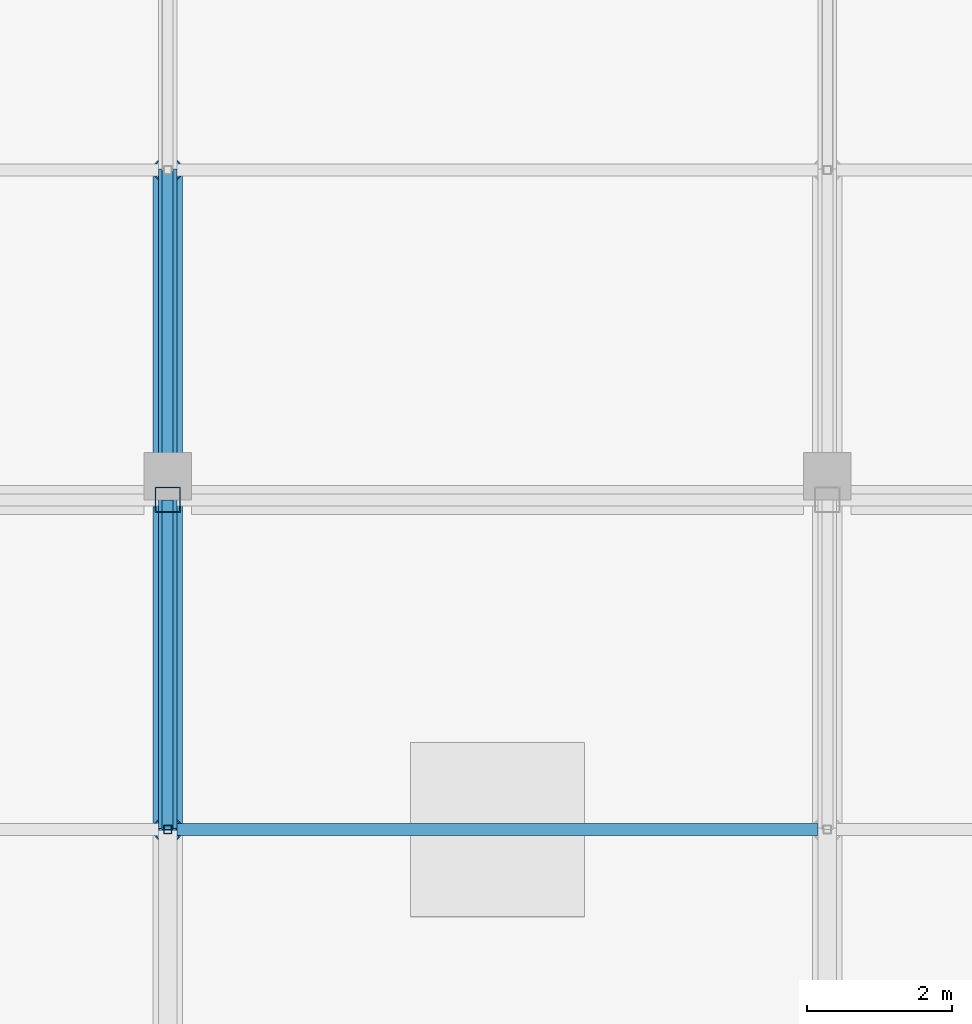
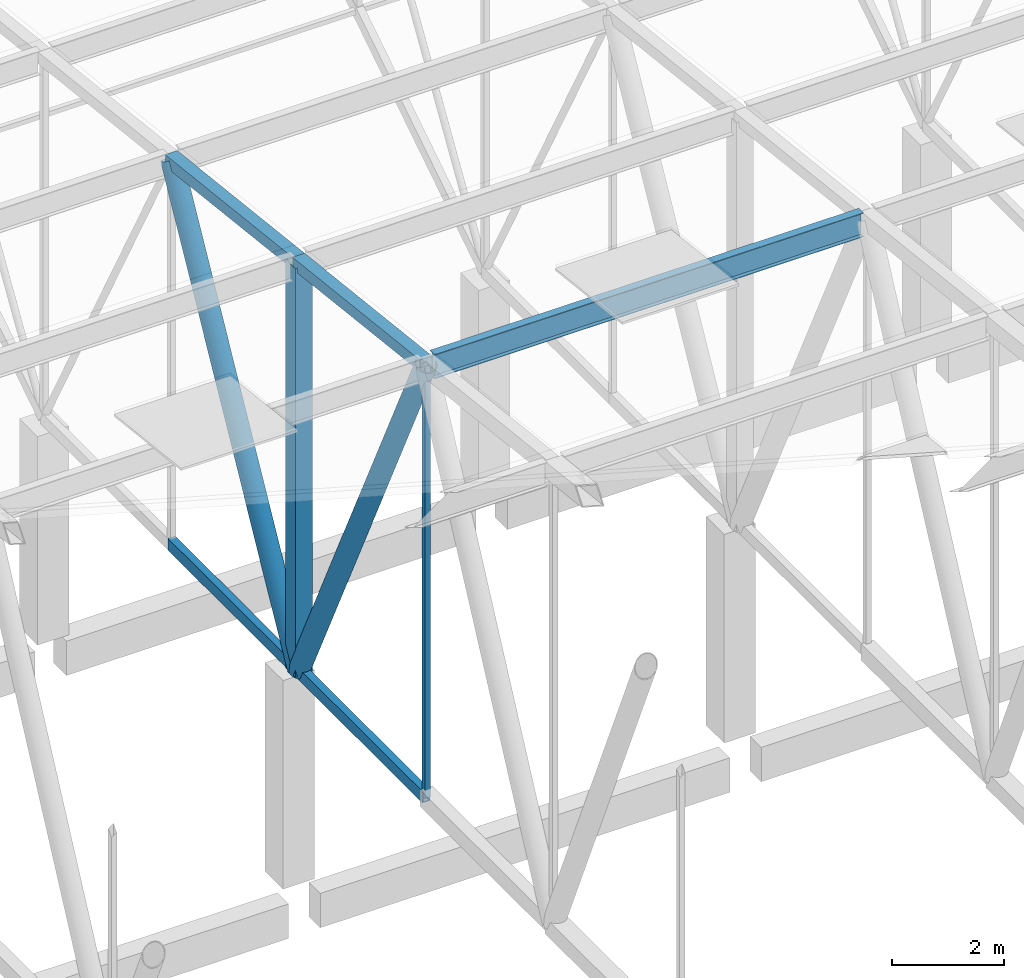
# One storey, part 297 of 500: 9 members.
"""IFC4 building model written with IfcOpenShell, lengths in metres."""

from ifc_helpers import new_model, si_unit, direction, frame, origin, origin_2d, place, context, subcontext, project, spatial, hollow_rectangle, hollow_circle, i_section, extrude, material, material_profile, profile_set, type_object, element, save


model = new_model("IFC4")

# Units and contexts
model_context = context("Model", 3, precision=1e-05, world=origin(), true_north=direction((0.0, 1.0)))
body_context = subcontext(model_context, "Body", "Model", "MODEL_VIEW")
ifc_project = project(units=[si_unit("LENGTHUNIT", "METRE"), si_unit("AREAUNIT", "SQUARE_METRE"), si_unit("VOLUMEUNIT", "CUBIC_METRE"), si_unit("PLANEANGLEUNIT", "RADIAN"), si_unit("MASSUNIT", "GRAM", prefix="KILO")], contexts=[model_context])

# Site, building, storey
site_placement = place(None, origin())
site = spatial("IfcSite", under=ifc_project, at=site_placement, CompositionType="ELEMENT")
building_placement = place(site_placement, origin())
building = spatial("IfcBuilding", under=site, at=building_placement, Name="Shirokan Park Arena", CompositionType="ELEMENT")
storey_placement = place(building_placement, frame((0.0, 0.0, 29.1201171875)))
storey = spatial("IfcBuildingStorey", under=building, at=storey_placement, Name="L06", CompositionType="ELEMENT", Elevation=29.1201171875)

# Members
ifc_material_1 = material(Name="Steel ASTM A500 Grade C", Category="steel")
ifc_material_profile_1 = material_profile(ifc_material_1, hollow_rectangle(XDim=0.152099609375, YDim=0.25390625, WallThickness=0.015869140625, at=origin_2d()), Name="HSS254X152.4X15.9")
ifc_profile_set_1 = profile_set([ifc_material_profile_1], Name="Steel ASTM A500 Grade C")
member_type_1 = type_object("IfcMemberType", Name="Bottom chord HSS254X152.4X15.9", PredefinedType="CHORD", material=ifc_profile_set_1)
member_1_placement = place(storey_placement, frame((63.699951171875, 95.550048828125, 4.677001953125), z_axis=(0.0, 1.0, 0.0), x_axis=(-1.0, 0.0, 0.0)))
element("IfcMember", 1, at=member_1_placement, inside=storey, type_object=member_type_1, Name="Truss T08 bottom chord 24", PredefinedType="CHORD", context=body_context, shape_type="SweptSolid", body=[
    extrude(hollow_rectangle(XDim=0.152099609375, YDim=0.25390625, WallThickness=0.015869140625, at=origin_2d()), origin(), (0.0, 0.0, 1.0), 4.550048828125),
])
ifc_material_profile_2 = material_profile(ifc_material_1, hollow_rectangle(XDim=0.152099609375, YDim=0.25390625, WallThickness=0.009521484375, at=origin_2d()), Name="HSS254X152.4X9.5")
ifc_profile_set_2 = profile_set([ifc_material_profile_2], Name="Steel ASTM A500 Grade C")
member_type_2 = type_object("IfcMemberType", Name="Bottom chord HSS254X152.4X9.5", PredefinedType="CHORD", material=ifc_profile_set_2)
member_2_placement = place(storey_placement, frame((63.699951171875, 100.10009765625, 4.677001953125), z_axis=(0.0, 1.0, 0.0), x_axis=(-1.0, 0.0, 0.0)))
element("IfcMember", 2, at=member_2_placement, inside=storey, type_object=member_type_2, Name="Truss T08 bottom chord 25", PredefinedType="CHORD", context=body_context, shape_type="SweptSolid", body=[
    extrude(hollow_rectangle(XDim=0.152099609375, YDim=0.25390625, WallThickness=0.009521484375, at=origin_2d()), origin(), (0.0, 0.0, 1.0), 4.5498046875),
])
ifc_material_2 = material(Name="Steel ASTM A992", Category="steel")
ifc_material_profile_3 = material_profile(ifc_material_2, i_section(OverallWidth=0.166015625, OverallDepth=0.528076171875, WebThickness=0.009765625, FlangeThickness=0.013671875, at=origin_2d()), Name="W530X74")
ifc_profile_set_3 = profile_set([ifc_material_profile_3], Name="Steel ASTM A992")
member_type_3 = type_object("IfcMemberType", Name="Purlin W530X74", PredefinedType="PURLIN", material=ifc_profile_set_3)
member_3_placement = place(storey_placement, frame((63.826904296875, 95.550048828125, 14.0458984375), z_axis=(1.0, 0.0, 0.0), x_axis=(0.0, 1.0, 0.0)))
element("IfcMember", 3, at=member_3_placement, inside=storey, type_object=member_type_3, Name="Purlin 24 bay 8", PredefinedType="PURLIN", context=body_context, shape_type="SweptSolid", body=[
    extrude(i_section(OverallWidth=0.166015625, OverallDepth=0.528076171875, WebThickness=0.009765625, FlangeThickness=0.013671875, at=origin_2d()), origin(), (0.0, 0.0, 1.0), 8.84619140625),
])
ifc_material_profile_4 = material_profile(ifc_material_1, hollow_rectangle(XDim=0.25390625, YDim=0.25390625, WallThickness=0.009521484375, at=origin_2d()), Name="HSS254X254X9.5")
ifc_profile_set_4 = profile_set([ifc_material_profile_4], Name="Steel ASTM A500 Grade C")
member_type_4 = type_object("IfcMemberType", Name="Top chord HSS254X254X9.5", PredefinedType="CHORD", material=ifc_profile_set_4)
member_4_placement = place(storey_placement, frame((63.699951171875, 95.550048828125, 14.101318359375), z_axis=(0.0, 0.993532328996, -0.113549598152), x_axis=(-1.0, 0.0, 0.0)))
element("IfcMember", 4, at=member_4_placement, inside=storey, type_object=member_type_4, Name="Truss T08 top chord 24", PredefinedType="CHORD", context=body_context, shape_type="SweptSolid", body=[
    extrude(hollow_rectangle(XDim=0.25390625, YDim=0.25390625, WallThickness=0.009521484375, at=origin_2d()), origin(), (0.0, 0.0, 1.0), 4.57958984375),
])
member_5_placement = place(storey_placement, frame((63.699951171875, 100.10009765625, 13.581298828125), z_axis=(0.0, 0.993531641592, -0.11355561261), x_axis=(-1.0, 0.0, 0.0)))
element("IfcMember", 5, at=member_5_placement, inside=storey, type_object=member_type_4, Name="Truss T08 top chord 25", PredefinedType="CHORD", context=body_context, shape_type="SweptSolid", body=[
    extrude(hollow_rectangle(XDim=0.25390625, YDim=0.25390625, WallThickness=0.009521484375, at=origin_2d()), origin(), (0.0, 0.0, 1.0), 4.579345703125),
])
ifc_material_profile_5 = material_profile(ifc_material_1, hollow_circle(Radius=0.202880859375, WallThickness=0.015869140625, at=origin_2d()), Name="HSS406.4X15.9")
ifc_profile_set_5 = profile_set([ifc_material_profile_5], Name="Steel ASTM A500 Grade C")
member_type_5 = type_object("IfcMemberType", Name="Truss diagonal HSS406.4X15.9", PredefinedType="BRACE", material=ifc_profile_set_5)
member_6_placement = place(storey_placement, frame((63.699951171875, 95.550048828125, 14.101318359375), z_axis=(0.0, 0.434778423415, -0.900537463148), x_axis=(-1.0, 0.0, 0.0)))
element("IfcMember", 6, at=member_6_placement, inside=storey, type_object=member_type_5, Name="Truss T08 diagonal 24", PredefinedType="BRACE", context=body_context, shape_type="SweptSolid", body=[
    extrude(hollow_circle(Radius=0.202880859375, WallThickness=0.015869140625, at=origin_2d()), origin(), (0.0, 0.0, 1.0), 10.46533203125),
])
member_7_placement = place(storey_placement, frame((63.699951171875, 100.10009765625, 4.677001953125), z_axis=(0.0, 0.476957435823, 0.878926393058), x_axis=(-1.0, 0.0, 0.0)))
element("IfcMember", 7, at=member_7_placement, inside=storey, type_object=member_type_5, Name="Truss T08 diagonal 25", PredefinedType="BRACE", context=body_context, shape_type="SweptSolid", body=[
    extrude(hollow_circle(Radius=0.202880859375, WallThickness=0.015869140625, at=origin_2d()), origin(), (0.0, 0.0, 1.0), 9.539306640625),
])
ifc_material_profile_6 = material_profile(ifc_material_1, hollow_rectangle(XDim=0.114013671875, YDim=0.114013671875, WallThickness=0.00634765625, at=origin_2d()), Name="HSS114.3X114.3X6.4")
ifc_profile_set_6 = profile_set([ifc_material_profile_6], Name="Steel ASTM A500 Grade C")
member_type_6 = type_object("IfcMemberType", Name="Truss post HSS114.3X114.3X6.4", PredefinedType="POST", material=ifc_profile_set_6)
member_8_placement = place(storey_placement, frame((63.699951171875, 95.550048828125, 4.677001953125), z_axis=(0.0, 0.0, 1.0), x_axis=(1.0, 0.0, 0.0)))
element("IfcMember", 8, at=member_8_placement, inside=storey, type_object=member_type_6, Name="Truss T08 post 24", PredefinedType="POST", context=body_context, shape_type="SweptSolid", body=[
    extrude(hollow_rectangle(XDim=0.114013671875, YDim=0.114013671875, WallThickness=0.00634765625, at=origin_2d()), origin(), (0.0, 0.0, 1.0), 9.42431640625),
])
ifc_material_profile_7 = material_profile(ifc_material_1, hollow_rectangle(XDim=0.35595703125, YDim=0.35595703125, WallThickness=0.015869140625, at=origin_2d()), Name="HSS355.6X355.6X15.9")
ifc_profile_set_7 = profile_set([ifc_material_profile_7], Name="Steel ASTM A500 Grade C")
member_type_7 = type_object("IfcMemberType", Name="Truss post HSS355.6X355.6X15.9", PredefinedType="POST", material=ifc_profile_set_7)
member_9_placement = place(storey_placement, frame((63.699951171875, 100.10009765625, 4.677001953125), z_axis=(0.0, 0.0, 1.0), x_axis=(1.0, 0.0, 0.0)))
element("IfcMember", 9, at=member_9_placement, inside=storey, type_object=member_type_7, Name="Truss T08 post 25", PredefinedType="POST", context=body_context, shape_type="SweptSolid", body=[
    extrude(hollow_rectangle(XDim=0.35595703125, YDim=0.35595703125, WallThickness=0.015869140625, at=origin_2d()), origin(), (0.0, 0.0, 1.0), 8.904296875),
])

save(model, "model.ifc")
